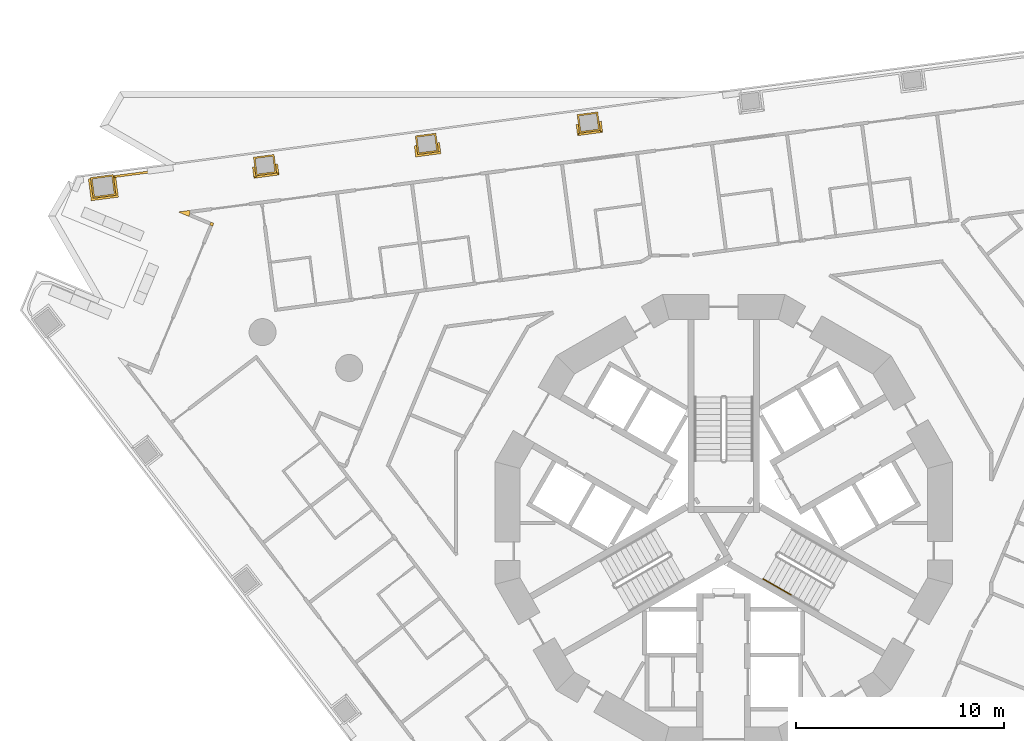
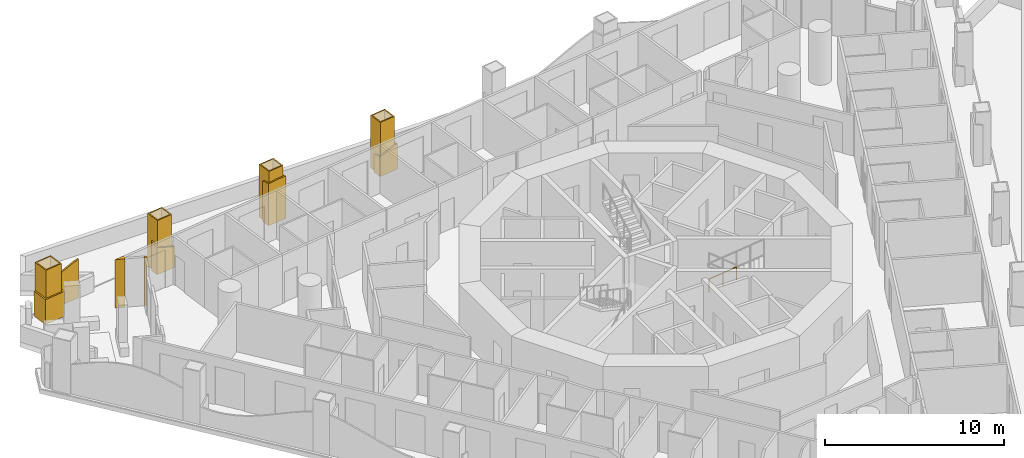
# One storey, part 17 of 20: 6 coverings, 5 railings.
"""IFC4 building model written with IfcOpenShell, lengths in metres."""

from ifc_helpers import new_model, si_unit, direction, frame, origin, origin_2d, place, context, subcontext, project, spatial, polyline, circle, outline, extrude, material, layer, layer_set, type_object, element, save


model = new_model("IFC4")

# Units and contexts
model_context = context("Model", 3, precision=1e-05, world=origin(), true_north=direction((0.0, 1.0)))
body_context = subcontext(model_context, "Body", "Model", "MODEL_VIEW")
ifc_project = project(units=[si_unit("LENGTHUNIT", "METRE"), si_unit("AREAUNIT", "SQUARE_METRE"), si_unit("VOLUMEUNIT", "CUBIC_METRE"), si_unit("PLANEANGLEUNIT", "RADIAN"), si_unit("MASSUNIT", "GRAM", prefix="KILO")], contexts=[model_context])

# Site, building, storey
site_placement = place(None, origin())
site = spatial("IfcSite", under=ifc_project, at=site_placement, CompositionType="ELEMENT")
building_placement = place(site_placement, origin())
building = spatial("IfcBuilding", under=site, at=building_placement, Name="Trine Commons Tower", CompositionType="ELEMENT")
storey_placement = place(building_placement, frame((0.0, 0.0, 50.39990234375)))
storey = spatial("IfcBuildingStorey", under=building, at=storey_placement, Name="L11", CompositionType="ELEMENT", Elevation=50.39990234375)

# Coverings
ifc_material_1 = material(Name="Aluminium-framed insulated wall panel", Category="aluminium")
ifc_layer_1 = layer(ifc_material_1, 0.14990234375)
ifc_layer_set_1 = layer_set([ifc_layer_1], Name="Aluminium-framed insulated wall panel")
covering_type_1 = type_object("IfcCoveringType", Name="Glazing corner post, aluminium", PredefinedType="CLADDING", material=ifc_layer_set_1)
covering_1_placement = place(storey_placement, origin())
element("IfcCovering", 1, at=covering_1_placement, inside=storey, type_object=covering_type_1, Name="Glazing corner post 2-03", PredefinedType="CLADDING", context=body_context, shape_type="SweptSolid", body=[
    extrude(outline(polyline([(55.384521484375, 76.79833984375), (55.44189453125, 76.93701171875), (55.30322265625, 76.994384765625), (55.245849609375, 76.855712890625), (55.384521484375, 76.79833984375)])), origin(), (0.0, 0.0, 1.0), 3.300048828125),
])
covering_2_placement = place(storey_placement, origin())
element("IfcCovering", 2, at=covering_2_placement, inside=storey, type_object=covering_type_1, Name="Glazing corner post 2-04", PredefinedType="CLADDING", context=body_context, shape_type="SweptSolid", body=[
    extrude(outline(polyline([(54.242919921875, 77.271240234375), (54.30029296875, 77.409912109375), (54.280517578125, 77.55859375), (53.7255859375, 77.485595703125), (54.242919921875, 77.271240234375)])), origin(), (0.0, 0.0, 1.0), 3.300048828125),
])
ifc_material_2 = material(Name="Limestone, honed", Category="masonry")
ifc_layer_2 = layer(ifc_material_2, 0.074951171875)
ifc_layer_set_2 = layer_set([ifc_layer_2], Name="Limestone, honed")
covering_type_2 = type_object("IfcCoveringType", Name="Limestone column cladding 75", PredefinedType="CLADDING", material=ifc_layer_set_2)
covering_3_placement = place(storey_placement, origin())
element("IfcCovering", 3, at=covering_3_placement, inside=storey, type_object=covering_type_2, Name="Limestone pier cladding 2-09", PredefinedType="CLADDING", context=body_context, shape_type="SweptSolid", body=[
    extrude(outline(polyline([(50.726806640625, 78.291015625), (50.59619140625, 79.2822265625), (49.505615234375, 79.138671875), (49.635986328125, 78.147216796875), (50.726806640625, 78.291015625)]), holes=[polyline([(50.642578125, 78.35546875), (50.531494140625, 79.1982421875), (49.589599609375, 79.07421875), (49.70068359375, 78.2314453125), (50.642578125, 78.35546875)])]), origin(), (0.0, 0.0, 1.0), 3.60009765625),
])
covering_4_placement = place(storey_placement, origin())
element("IfcCovering", 4, at=covering_4_placement, inside=storey, type_object=covering_type_2, Name="Limestone pier cladding 2-10", PredefinedType="CLADDING", context=body_context, shape_type="SweptSolid", body=[
    extrude(outline(polyline([(58.4638671875, 79.360107421875), (58.34619140625, 80.252197265625), (57.354736328125, 80.121826171875), (57.472412109375, 79.2294921875), (58.4638671875, 79.360107421875)]), holes=[polyline([(58.379638671875, 79.424560546875), (58.28173828125, 80.168212890625), (57.43896484375, 80.05712890625), (57.536865234375, 79.313720703125), (58.379638671875, 79.424560546875)])]), origin(), (0.0, 0.0, 1.0), 3.60009765625),
])
covering_5_placement = place(storey_placement, origin())
element("IfcCovering", 5, at=covering_5_placement, inside=storey, type_object=covering_type_2, Name="Limestone pier cladding 2-11", PredefinedType="CLADDING", context=body_context, shape_type="SweptSolid", body=[
    extrude(outline(polyline([(66.257080078125, 80.385986328125), (66.1396484375, 81.2783203125), (65.148193359375, 81.147705078125), (65.265625, 80.255615234375), (66.257080078125, 80.385986328125)]), holes=[polyline([(66.1728515625, 80.45068359375), (66.074951171875, 81.194091796875), (65.232421875, 81.083251953125), (65.330078125, 80.339599609375), (66.1728515625, 80.45068359375)])]), origin(), (0.0, 0.0, 1.0), 3.60009765625),
])
covering_6_placement = place(storey_placement, origin())
element("IfcCovering", 6, at=covering_6_placement, inside=storey, type_object=covering_type_2, Name="Limestone pier cladding 2-12", PredefinedType="CLADDING", context=body_context, shape_type="SweptSolid", body=[
    extrude(outline(polyline([(74.05029296875, 81.412109375), (73.932861328125, 82.30419921875), (72.94140625, 82.173828125), (73.058837890625, 81.281494140625), (74.05029296875, 81.412109375)]), holes=[polyline([(73.96630859375, 81.4765625), (73.868408203125, 82.22021484375), (73.025634765625, 82.109130859375), (73.12353515625, 81.365478515625), (73.96630859375, 81.4765625)])]), origin(), (0.0, 0.0, 1.0), 3.60009765625),
])

# Railings
ifc_material_3 = material(Name="Stainless steel handrail", Category="steel")
railing_type_1 = type_object("IfcRailingType", Name="Stair handrail, steel 900", PredefinedType="HANDRAIL", material=ifc_material_3)
railing_1_placement = place(storey_placement, frame((81.90234375, 59.81396484375, 1.9501953125)))
element("IfcRailing", 7, at=railing_1_placement, inside=storey, type_object=railing_type_1, Name="L11 ST3A stair handrail 3", PredefinedType="HANDRAIL", context=body_context, shape_type="SweptSolid", body=[
    extrude(circle(Radius=0.02099609375, at=origin_2d()), frame((0.0, 0.0, 0.87890625), z_axis=(0.76340495495, -0.440743040072, 0.472184759798), x_axis=(0.499992328818, 0.866029832698, 0.0)), (0.0, 0.0, 1.0), 1.7470703125),
    extrude(circle(Radius=0.01513671875, at=origin_2d()), origin(), (0.0, 0.0, 1.0), 0.85791015625),
    extrude(circle(Radius=0.01513671875, at=origin_2d()), frame((0.6669921875, -0.385009765625, 0.41259765625)), (0.0, 0.0, 1.0), 0.85791015625),
    extrude(circle(Radius=0.01513671875, at=origin_2d()), frame((1.333740234375, -0.77001953125, 0.824951171875)), (0.0, 0.0, 1.0), 0.85791015625),
])
ifc_material_4 = material(Name="White powder-coated aluminium", Category="aluminium")
ifc_layer_3 = layer(ifc_material_4, 0.10009765625)
ifc_layer_set_3 = layer_set([ifc_layer_3], Name="White powder-coated aluminium")
railing_type_2 = type_object("IfcRailingType", Name="White balustrade band 100", PredefinedType="GUARDRAIL", material=ifc_layer_set_3)
railing_2_placement = place(storey_placement, origin())
element("IfcRailing", 8, at=railing_2_placement, inside=storey, type_object=railing_type_2, Name="Guard band L11 6", PredefinedType="GUARDRAIL", context=body_context, shape_type="SweptSolid", body=[
    extrude(outline(polyline([(0.0, 0.0), (1.0615234375, 0.0), (1.061767578125, 1.7001953125), (0.53076171875, 1.7001953125), (0.0, 1.7001953125), (0.0, 0.0)])), frame((49.501953125, 79.08837890625, 0.0), z_axis=(-0.991431580267, -0.130627032612, 0.0), x_axis=(0.130627032612, -0.991431580267, 0.0)), (0.0, 0.0, 1.0), 0.10009765625),
    extrude(outline(polyline([(0.0, 0.0), (1.32177734375, 0.0), (1.322021484375, 1.7001953125), (0.660888671875, 1.7001953125), (0.0, 1.7001953125), (0.0, 0.0)])), frame((49.527587890625, 78.123046875, 0.0), z_axis=(0.130397179106, -0.991461837733, 0.0), x_axis=(0.991461837733, 0.130397179106, 0.0)), (0.0, 0.0, 1.0), 0.10009765625),
    extrude(outline(polyline([(0.0, 0.0), (1.062255859375, 0.0), (1.062255859375, 2.031005859375), (0.531005859375, 1.823486328125), (0.0, 1.7001953125), (0.0, 0.0)])), frame((50.7509765625, 78.18212890625, 0.0), z_axis=(0.991473059423, 0.130311827699, 0.0), x_axis=(-0.130311827699, 0.991473059423, 0.0)), (0.0, 0.0, 1.0), 0.10009765625),
    extrude(outline(polyline([(0.0, 0.0), (1.8427734375, 0.0), (1.842529296875, 2.63330078125), (1.50927734375, 2.543701171875), (0.754638671875, 2.282470703125), (0.0, 1.990966796875), (0.0, 0.0)])), frame((50.611572265625, 79.234130859375, 0.0), z_axis=(0.13050592233, -0.991447529745, 0.0), x_axis=(0.991447529745, 0.13050592233, 0.0)), (0.0, 0.0, 1.0), 0.10009765625),
])
railing_3_placement = place(storey_placement, origin())
element("IfcRailing", 9, at=railing_3_placement, inside=storey, type_object=railing_type_2, Name="Guard band L11 7", PredefinedType="GUARDRAIL", context=body_context, shape_type="SweptSolid", body=[
    extrude(outline(polyline([(0.0, 0.0), (0.540771484375, 0.0), (0.540771484375, 1.812744140625), (0.540771484375, 1.812744140625), (0.03515625, 2.010009765625), (0.0, 2.023681640625), (0.0, 0.0)])), frame((57.40625, 79.654541015625, 0.0), z_axis=(-0.991451221881, -0.130477870275, 0.0), x_axis=(0.130477870275, -0.991451221881, 0.0)), (0.0, 0.0, 1.0), 0.10009765625),
    extrude(outline(polyline([(0.0, 0.0), (1.221435546875, 0.0), (1.221435546875, 1.42138671875), (0.610595703125, 1.623291015625), (0.0, 1.851806640625), (0.0, 0.0)])), frame((57.364013671875, 79.205078125, 0.0), z_axis=(0.130526901908, -0.991444767941, 0.0), x_axis=(0.991444767941, 0.130526901908, 0.0)), (0.0, 0.0, 1.0), 0.10009765625),
    extrude(outline(polyline([(0.0, 0.0), (0.54052734375, 0.0), (0.54052734375, 1.302001953125), (0.505859375, 1.309326171875), (0.0, 1.452392578125), (0.0, 0.0)])), frame((58.488037109375, 79.251708984375, 0.0), z_axis=(0.991443530498, 0.130536300826, 0.0), x_axis=(-0.130536300826, 0.991443530498, 0.0)), (0.0, 0.0, 1.0), 0.10009765625),
])
railing_4_placement = place(storey_placement, origin())
element("IfcRailing", 10, at=railing_4_placement, inside=storey, type_object=railing_type_2, Name="Guard band L11 8", PredefinedType="GUARDRAIL", context=body_context, shape_type="SweptSolid", body=[
    extrude(outline(polyline([(0.0, 0.0), (0.541015625, 0.0), (0.541015625, 2.865478515625), (0.03515625, 2.780029296875), (0.0, 2.77294921875), (0.0, 0.0)])), frame((65.19970703125, 80.680419921875, 0.0), z_axis=(-0.991458902942, -0.130419491557, 0.0), x_axis=(0.130419491557, -0.991458902942, 0.0)), (0.0, 0.0, 1.0), 0.10009765625),
    extrude(outline(polyline([(0.0, 0.0), (1.2216796875, 0.0), (1.2216796875, 2.880126953125), (0.73779296875, 2.900146484375), (0.61083984375, 2.898681640625), (0.0, 2.853759765625), (0.0, 0.0)])), frame((65.157470703125, 80.231201171875, 0.0), z_axis=(0.130501039433, -0.991448172476, 0.0), x_axis=(0.991448172476, 0.130501039433, 0.0)), (0.0, 0.0, 1.0), 0.10009765625),
    extrude(outline(polyline([(0.0, 0.0), (0.54052734375, 0.0), (0.540283203125, 2.77734375), (0.505615234375, 2.780029296875), (0.0, 2.8876953125), (0.0, 0.0)])), frame((66.281494140625, 80.277587890625, 0.0), z_axis=(0.991443530498, 0.130536300826, 0.0), x_axis=(-0.130536300826, 0.991443530498, 0.0)), (0.0, 0.0, 1.0), 0.10009765625),
])
railing_5_placement = place(storey_placement, origin())
element("IfcRailing", 11, at=railing_5_placement, inside=storey, type_object=railing_type_2, Name="Guard band L11 9", PredefinedType="GUARDRAIL", context=body_context, shape_type="SweptSolid", body=[
    extrude(outline(polyline([(0.0, 0.0), (0.540771484375, 0.0), (0.540771484375, 1.376708984375), (0.540771484375, 1.376708984375), (0.034912109375, 1.24951171875), (0.0, 1.243408203125), (0.0, 0.0)])), frame((72.992919921875, 81.70654296875, 0.0), z_axis=(-0.991451221881, -0.130477870275, 0.0), x_axis=(0.130477870275, -0.991451221881, 0.0)), (0.0, 0.0, 1.0), 0.10009765625),
    extrude(outline(polyline([(0.0, 0.0), (1.221923828125, 0.0), (1.221923828125, 1.75439453125), (0.611083984375, 1.534912109375), (0.0, 1.348388671875), (0.0, 0.0)])), frame((72.9501953125, 81.257080078125, 0.0), z_axis=(0.130671586793, -0.991425708969, 0.0), x_axis=(0.991425708969, 0.130671586793, 0.0)), (0.0, 0.0, 1.0), 0.10009765625),
    extrude(outline(polyline([(0.0, 0.0), (0.54052734375, 0.0), (0.540283203125, 1.923828125), (0.505615234375, 1.91015625), (0.0, 1.71630859375), (0.0, 0.0)])), frame((74.07470703125, 81.3037109375, 0.0), z_axis=(0.991443530498, 0.130536300826, 0.0), x_axis=(-0.130536300826, 0.991443530498, 0.0)), (0.0, 0.0, 1.0), 0.10009765625),
])

save(model, "model.ifc")
